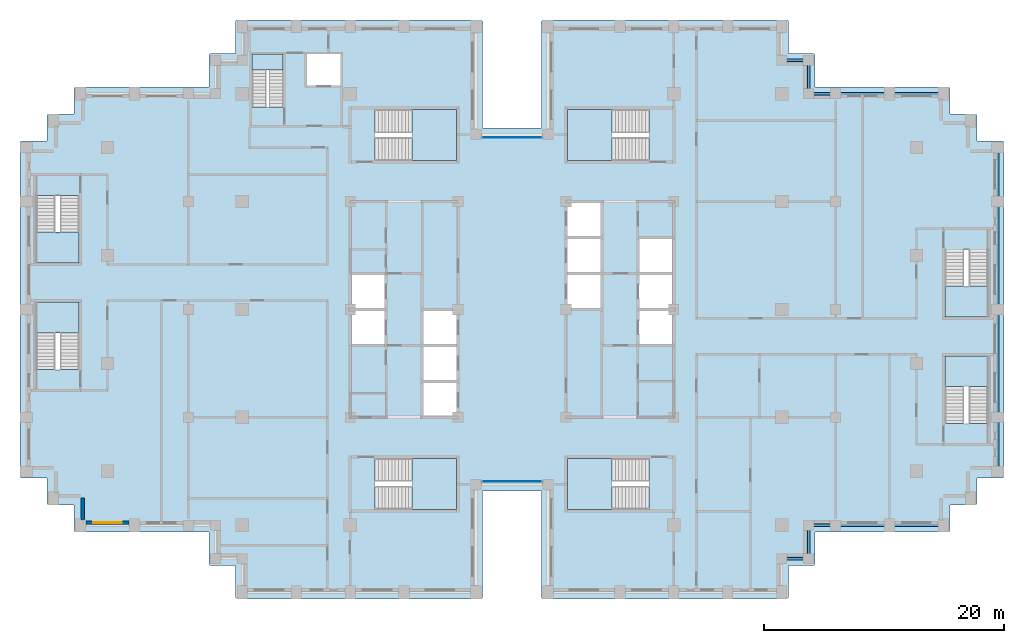
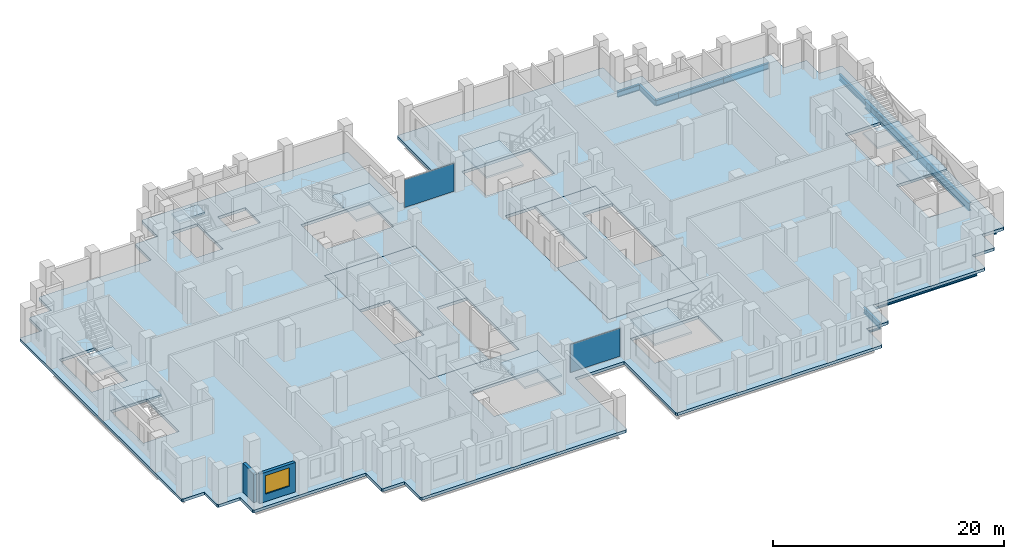
# One storey, part 5 of 15: 14 beams, 12 slabs, 2 plates, 2 walls, 1 window, 1 opening, 11 elements without a shape of their own.
"""IFC4 building model written with IfcOpenShell, lengths in metres."""

from ifc_helpers import new_model, si_unit, direction, frame, frame_2d, origin, origin_2d, place, context, subcontext, project, spatial, polyline, rectangle, i_section, outline, extrude, material, layer, layer_set, material_profile, profile_set, type_object, element, fill, aggregate, save


model = new_model("IFC4")

# Units and contexts
model_context = context("Model", 3, precision=1e-05, world=origin(), true_north=direction((0.0, 1.0)))
body_context = subcontext(model_context, "Body", "Model", "MODEL_VIEW")
ifc_project = project(units=[si_unit("LENGTHUNIT", "METRE"), si_unit("AREAUNIT", "SQUARE_METRE"), si_unit("VOLUMEUNIT", "CUBIC_METRE"), si_unit("PLANEANGLEUNIT", "RADIAN"), si_unit("MASSUNIT", "GRAM", prefix="KILO")], contexts=[model_context])

# Site, building, storey
site_placement = place(None, origin())
site = spatial("IfcSite", under=ifc_project, at=site_placement, CompositionType="ELEMENT")
building_placement = place(site_placement, origin())
building = spatial("IfcBuilding", under=site, at=building_placement, Name="Corbelhall Arena Tower", CompositionType="ELEMENT")
storey_placement = place(building_placement, frame((0.0, 0.0, 142.0)))
storey = spatial("IfcBuildingStorey", under=building, at=storey_placement, Name="L27", CompositionType="ELEMENT", Elevation=142.0)

# Beams
ifc_material_1 = material(Name="Steel ASTM A992 Gr50", Category="steel")
ifc_material_profile_1 = material_profile(ifc_material_1, i_section(OverallWidth=0.22900390625, OverallDepth=0.612060546875, WebThickness=0.011962890625, FlangeThickness=0.01953125, at=origin_2d()))
ifc_profile_set_1 = profile_set([ifc_material_profile_1], Name="Steel ASTM A992 Gr50")
beam_type_1 = type_object("IfcBeamType", Name="ST-SPANDREL-W24x84", PredefinedType="SPANDREL", material=ifc_profile_set_1)
for number, where, z_axis, x_axis, name in (
    (1, (40.5, 13.5, -0.60595703125), (0.0, -1.0, 0.0), (1.0, 0.0, 0.0), "Beam SP 10"),
    (2, (40.5, -9.0, -0.60595703125), (0.0, -1.0, 0.0), (1.0, 0.0, 0.0), "Beam SP 11"),
    (3, (31.5, 18.0, -0.60595703125), (1.0, 0.0, 0.0), (0.0, 1.0, 0.0), "Beam SP 12"),
    (4, (31.5, -18.0, -0.60595703125), (-1.0, 0.0, 0.0), (0.0, -1.0, 0.0), "Beam SP 13"),
    (5, (36.0, -18.0, -0.60595703125), (-1.0, 0.0, 0.0), (0.0, -1.0, 0.0), "Beam SP 14"),
    (6, (27.0, 18.0, -0.60595703125), (1.0, 0.0, 0.0), (0.0, 1.0, 0.0), "Beam SP 15"),
):
    element("IfcBeam", number, at=place(storey_placement, frame(where, z_axis=z_axis, x_axis=x_axis)), inside=storey, type_object=beam_type_1, Name=name, PredefinedType="SPANDREL", context=body_context, shape_type="SweptSolid", body=[
        extrude(i_section(OverallWidth=0.22900390625, OverallDepth=0.612060546875, WebThickness=0.011962890625, FlangeThickness=0.01953125, at=origin_2d()), origin(), (0.0, 0.0, 1.0), 4.5),
    ])
for number, where, z_axis, x_axis, name in (
    (7, (27.0, -18.0, -0.60595703125), (-1.0, 0.0, 0.0), (0.0, -1.0, 0.0), "Beam SP 16"),
    (8, (22.5, 20.800048828125, -0.60595703125), (1.0, 0.0, 0.0), (0.0, 1.0, 0.0), "Beam SP 43"),
):
    element("IfcBeam", number, at=place(storey_placement, frame(where, z_axis=z_axis, x_axis=x_axis)), inside=storey, type_object=beam_type_1, Name=name, PredefinedType="SPANDREL", context=body_context, shape_type="SweptSolid", body=[
        extrude(i_section(OverallWidth=0.22900390625, OverallDepth=0.612060546875, WebThickness=0.011962890625, FlangeThickness=0.01953125, at=origin_2d()), origin(), (0.0, 0.0, 1.0), 2.25),
    ])
beam_1_placement = place(storey_placement, frame((24.75, 20.800048828125, -0.60595703125), z_axis=(0.0, -1.0, 0.0), x_axis=(1.0, 0.0, 0.0)))
element("IfcBeam", 9, at=beam_1_placement, inside=storey, type_object=beam_type_1, Name="Beam SP 44", PredefinedType="SPANDREL", context=body_context, shape_type="SweptSolid", body=[
    extrude(i_section(OverallWidth=0.22900390625, OverallDepth=0.612060546875, WebThickness=0.011962890625, FlangeThickness=0.01953125, at=origin_2d()), origin(), (0.0, 0.0, 1.0), 2.800048828125),
])
for number, where, z_axis, x_axis, name in (
    (10, (24.75, 18.0, -0.60595703125), (1.0, 0.0, 0.0), (0.0, 1.0, 0.0), "Beam SP 45"),
    (11, (24.75, -20.800048828125, -0.60595703125), (-1.0, 0.0, 0.0), (0.0, -1.0, 0.0), "Beam SP 50"),
):
    element("IfcBeam", number, at=place(storey_placement, frame(where, z_axis=z_axis, x_axis=x_axis)), inside=storey, type_object=beam_type_1, Name=name, PredefinedType="SPANDREL", context=body_context, shape_type="SweptSolid", body=[
        extrude(i_section(OverallWidth=0.22900390625, OverallDepth=0.612060546875, WebThickness=0.011962890625, FlangeThickness=0.01953125, at=origin_2d()), origin(), (0.0, 0.0, 1.0), 2.25),
    ])
beam_2_placement = place(storey_placement, frame((24.75, -18.0, -0.60595703125), z_axis=(0.0, -1.0, 0.0), x_axis=(1.0, 0.0, 0.0)))
element("IfcBeam", 12, at=beam_2_placement, inside=storey, type_object=beam_type_1, Name="Beam SP 51", PredefinedType="SPANDREL", context=body_context, shape_type="SweptSolid", body=[
    extrude(i_section(OverallWidth=0.22900390625, OverallDepth=0.612060546875, WebThickness=0.011962890625, FlangeThickness=0.01953125, at=origin_2d()), origin(), (0.0, 0.0, 1.0), 2.800048828125),
])
ifc_material_profile_2 = material_profile(ifc_material_1, i_section(OverallWidth=0.2919921875, OverallDepth=0.845703125, WebThickness=0.015380859375, FlangeThickness=0.0244140625, at=origin_2d()))
ifc_profile_set_2 = profile_set([ifc_material_profile_2], Name="Steel ASTM A992 Gr50")
beam_type_2 = type_object("IfcBeamType", Name="ST-SPANDREL-W33x141", PredefinedType="SPANDREL", material=ifc_profile_set_2)
for number, where, z_axis, x_axis, name in (
    (13, (40.5, 0.0, -0.722900390625), (0.0, -1.0, 0.0), (1.0, 0.0, 0.0), "Beam SP 8"),
    (14, (40.5, 9.0, -0.722900390625), (0.0, -1.0, 0.0), (1.0, 0.0, 0.0), "Beam SP 9"),
):
    element("IfcBeam", number, at=place(storey_placement, frame(where, z_axis=z_axis, x_axis=x_axis)), inside=storey, type_object=beam_type_2, Name=name, PredefinedType="SPANDREL", context=body_context, shape_type="SweptSolid", body=[
        extrude(i_section(OverallWidth=0.2919921875, OverallDepth=0.845703125, WebThickness=0.015380859375, FlangeThickness=0.0244140625, at=origin_2d()), origin(), (0.0, 0.0, 1.0), 9.0),
    ])

# Curtain wall, plate
ifc_material_2 = material(Name="Aluminium black anodised", Category="aluminium")
ifc_layer_1 = layer(ifc_material_2, 0.199951171875)
ifc_layer_set_1 = layer_set([ifc_layer_1], Name="EV-CW1 Slot back wall")
curtain_wall_type = type_object("IfcCurtainWallType", Name="EV-CW1 Slot back wall", PredefinedType="NOTDEFINED", material=ifc_layer_set_1)
curtain_wall_1_placement = place(storey_placement, origin())
curtain_wall_1 = element("IfcCurtainWall", 15, at=curtain_wall_1_placement, inside=storey, type_object=curtain_wall_type, Name="Curtain wall CW1", PredefinedType="NOTDEFINED")
ifc_material_3 = material(Name="Glass dark tinted laminated", Category="glass")
ifc_layer_2 = layer(ifc_material_3, 0.028076171875)
ifc_layer_set_2 = layer_set([ifc_layer_2], Name="EV-CW1-PANEL")
plate_type = type_object("IfcPlateType", Name="EV-CW1-PANEL", PredefinedType="CURTAIN_PANEL", material=ifc_layer_set_2)
plate_1_placement = place(storey_placement, frame((0.0, -14.35009765625, 0.0751953125), z_axis=(0.0, 0.0, 1.0), x_axis=(1.0, 0.0, 0.0)))
plate_1 = element("IfcPlate", 16, at=plate_1_placement, type_object=plate_type, Name="CW1 panel 1.1", PredefinedType="CURTAIN_PANEL", context=body_context, shape_type="SweptSolid", body=[
    extrude(rectangle(XDim=4.949951171875, YDim=0.028076171875, at=origin_2d()), origin(), (0.0, 0.0, 1.0), 2.949951171875),
])
aggregate(curtain_wall_1, [plate_1])

curtain_wall_2_placement = place(storey_placement, origin())
curtain_wall_2 = element("IfcCurtainWall", 17, at=curtain_wall_2_placement, inside=storey, type_object=curtain_wall_type, Name="Curtain wall CW1", PredefinedType="NOTDEFINED")
plate_2_placement = place(storey_placement, frame((0.0, 14.35009765625, 0.0751953125), z_axis=(0.0, 0.0, 1.0), x_axis=(-1.0, 0.0, 0.0)))
plate_2 = element("IfcPlate", 18, at=plate_2_placement, type_object=plate_type, Name="CW1 panel 1.1", PredefinedType="CURTAIN_PANEL", context=body_context, shape_type="SweptSolid", body=[
    extrude(rectangle(XDim=4.949951171875, YDim=0.028076171875, at=origin_2d()), origin(), (0.0, 0.0, 1.0), 2.949951171875),
])
aggregate(curtain_wall_2, [plate_2])

# Slabs
ifc_material_4 = material(Name="Concrete C40/50", Category="concrete")
ifc_layer_3 = layer(ifc_material_4, 0.300048828125)
ifc_layer_set_3 = layer_set([ifc_layer_3], Name="IN-SL-CORE")
slab_type_1 = type_object("IfcSlabType", Name="IN-SL-CORE", PredefinedType="FLOOR", material=ifc_layer_set_3)
slab_1_placement = place(storey_placement, frame((0.0, 0.0, -0.300048828125)))
element("IfcSlab", 19, at=slab_1_placement, inside=storey, type_object=slab_type_1, Name="Core floor W", PredefinedType="FLOOR", context=body_context, shape_type="SweptSolid", body=[
    extrude(outline(polyline([(-7.5, 0.0), (-4.5, 0.0), (-4.5, 9.0), (-13.5, 9.0), (-13.5, 3.0), (-10.5, 3.0), (-10.5, 0.0), (-10.5, -3.0), (-13.5, -3.0), (-13.5, -9.0), (-7.5, -9.0), (-7.5, -6.0), (-7.5, -3.0), (-7.5, 0.0)])), origin(), (0.0, 0.0, 1.0), 0.300048828125),
])
slab_2_placement = place(storey_placement, frame((0.0, 0.0, -0.300048828125)))
element("IfcSlab", 20, at=slab_2_placement, inside=storey, type_object=slab_type_1, Name="Core floor E", PredefinedType="FLOOR", context=body_context, shape_type="SweptSolid", body=[
    extrude(outline(polyline([(7.5, 0.0), (4.5, 0.0), (4.5, -9.0), (13.5, -9.0), (13.5, -3.0), (10.5, -3.0), (10.5, 0.0), (10.5, 3.0), (10.5, 6.0), (13.5, 6.0), (13.5, 9.0), (7.5, 9.0), (7.5, 6.0), (7.5, 3.0), (7.5, 0.0)])), origin(), (0.0, 0.0, 1.0), 0.300048828125),
])

# Stair, slab
stair_type = type_object("IfcStairType", Name="IN-ST-TOWER", PredefinedType="HALF_TURN_STAIR", material=ifc_material_4)
stair_1_placement = place(storey_placement, origin())
stair_1 = element("IfcStair", 21, at=stair_1_placement, inside=storey, type_object=stair_type, Name="L27 Exit stair ST1", PredefinedType="HALF_TURN_STAIR")
ifc_layer_4 = layer(ifc_material_4, 0.199951171875)
ifc_layer_set_4 = layer_set([ifc_layer_4], Name="IN-SL-LANDING")
slab_type_2 = type_object("IfcSlabType", Name="IN-SL-LANDING", PredefinedType="LANDING", material=ifc_layer_set_4)
slab_3_placement = place(storey_placement, frame((0.0, 0.0, 1.800048828125)))
slab_3 = element("IfcSlab", 22, at=slab_3_placement, type_object=slab_type_2, Name="ST1 landing 1", PredefinedType="LANDING", context=body_context, shape_type="SweptSolid", body=[
    extrude(outline(polyline([(-8.344970703125, 12.425048828125), (-4.625, 12.425048828125), (-4.625, 16.675048828125), (-8.344970703125, 16.675048828125), (-8.344970703125, 12.425048828125)])), origin(), (0.0, 0.0, 1.0), 0.199951171875),
])
aggregate(stair_1, [slab_3])

stair_2_placement = place(storey_placement, origin())
stair_2 = element("IfcStair", 23, at=stair_2_placement, inside=storey, type_object=stair_type, Name="L27 Exit stair ST2", PredefinedType="HALF_TURN_STAIR")
slab_4_placement = place(storey_placement, frame((0.0, 0.0, 1.800048828125)))
slab_4 = element("IfcSlab", 24, at=slab_4_placement, type_object=slab_type_2, Name="ST2 landing 1", PredefinedType="LANDING", context=body_context, shape_type="SweptSolid", body=[
    extrude(outline(polyline([(-8.344970703125, -16.675048828125), (-4.625, -16.675048828125), (-4.625, -12.425048828125), (-8.344970703125, -12.425048828125), (-8.344970703125, -16.675048828125)])), origin(), (0.0, 0.0, 1.0), 0.199951171875),
])
aggregate(stair_2, [slab_4])

stair_3_placement = place(storey_placement, origin())
stair_3 = element("IfcStair", 25, at=stair_3_placement, inside=storey, type_object=stair_type, Name="L27 Exit stair ST3", PredefinedType="HALF_TURN_STAIR")
slab_5_placement = place(storey_placement, frame((0.0, 0.0, 1.800048828125)))
slab_5 = element("IfcSlab", 26, at=slab_5_placement, type_object=slab_type_2, Name="ST3 landing 1", PredefinedType="LANDING", context=body_context, shape_type="SweptSolid", body=[
    extrude(outline(polyline([(8.344970703125, 16.675048828125), (4.625, 16.675048828125), (4.625, 12.425048828125), (8.344970703125, 12.425048828125), (8.344970703125, 16.675048828125)])), origin(), (0.0, 0.0, 1.0), 0.199951171875),
])
aggregate(stair_3, [slab_5])

stair_4_placement = place(storey_placement, origin())
stair_4 = element("IfcStair", 27, at=stair_4_placement, inside=storey, type_object=stair_type, Name="L27 Exit stair ST4", PredefinedType="HALF_TURN_STAIR")
slab_6_placement = place(storey_placement, frame((0.0, 0.0, 1.800048828125)))
slab_6 = element("IfcSlab", 28, at=slab_6_placement, type_object=slab_type_2, Name="ST4 landing 1", PredefinedType="LANDING", context=body_context, shape_type="SweptSolid", body=[
    extrude(outline(polyline([(8.344970703125, -12.425048828125), (4.625, -12.425048828125), (4.625, -16.675048828125), (8.344970703125, -16.675048828125), (8.344970703125, -12.425048828125)])), origin(), (0.0, 0.0, 1.0), 0.199951171875),
])
aggregate(stair_4, [slab_6])

stair_5_placement = place(storey_placement, origin())
stair_5 = element("IfcStair", 29, at=stair_5_placement, inside=storey, type_object=stair_type, Name="L27 Exit stair SC1", PredefinedType="HALF_TURN_STAIR")
slab_7_placement = place(storey_placement, frame((0.0, 0.0, 1.800048828125)))
slab_7 = element("IfcSlab", 30, at=slab_7_placement, type_object=slab_type_2, Name="SC1 landing 1", PredefinedType="LANDING", context=body_context, shape_type="SweptSolid", body=[
    extrude(outline(polyline([(-39.699951171875, 6.445068359375), (-39.699951171875, 3.875), (-36.125, 3.875), (-36.125, 6.445068359375), (-39.699951171875, 6.445068359375)])), origin(), (0.0, 0.0, 1.0), 0.199951171875),
])
aggregate(stair_5, [slab_7])

stair_6_placement = place(storey_placement, origin())
stair_6 = element("IfcStair", 31, at=stair_6_placement, inside=storey, type_object=stair_type, Name="L27 Exit stair SC2", PredefinedType="HALF_TURN_STAIR")
slab_8_placement = place(storey_placement, frame((0.0, 0.0, 1.800048828125)))
slab_8 = element("IfcSlab", 32, at=slab_8_placement, type_object=slab_type_2, Name="SC2 landing 1", PredefinedType="LANDING", context=body_context, shape_type="SweptSolid", body=[
    extrude(outline(polyline([(-36.125, -1.945068359375), (-36.125, 0.625), (-39.699951171875, 0.625), (-39.699951171875, -1.945068359375), (-36.125, -1.945068359375)])), origin(), (0.0, 0.0, 1.0), 0.199951171875),
])
aggregate(stair_6, [slab_8])

stair_7_placement = place(storey_placement, origin())
stair_7 = element("IfcStair", 33, at=stair_7_placement, inside=storey, type_object=stair_type, Name="L27 Exit stair SD1", PredefinedType="HALF_TURN_STAIR")
slab_9_placement = place(storey_placement, frame((0.0, 0.0, 1.800048828125)))
slab_9 = element("IfcSlab", 34, at=slab_9_placement, type_object=slab_type_2, Name="SD1 landing 1", PredefinedType="LANDING", context=body_context, shape_type="SweptSolid", body=[
    extrude(outline(polyline([(39.699951171875, -6.445068359375), (39.699951171875, -3.875), (36.125, -3.875), (36.125, -6.445068359375), (39.699951171875, -6.445068359375)])), origin(), (0.0, 0.0, 1.0), 0.199951171875),
])
aggregate(stair_7, [slab_9])

stair_8_placement = place(storey_placement, origin())
stair_8 = element("IfcStair", 35, at=stair_8_placement, inside=storey, type_object=stair_type, Name="L27 Exit stair SD2", PredefinedType="HALF_TURN_STAIR")
slab_10_placement = place(storey_placement, frame((0.0, 0.0, 1.800048828125)))
slab_10 = element("IfcSlab", 36, at=slab_10_placement, type_object=slab_type_2, Name="SD2 landing 1", PredefinedType="LANDING", context=body_context, shape_type="SweptSolid", body=[
    extrude(outline(polyline([(36.125, 1.945068359375), (36.125, -0.625), (39.699951171875, -0.625), (39.699951171875, 1.945068359375), (36.125, 1.945068359375)])), origin(), (0.0, 0.0, 1.0), 0.199951171875),
])
aggregate(stair_8, [slab_10])

stair_9_placement = place(storey_placement, origin())
stair_9 = element("IfcStair", 37, at=stair_9_placement, inside=storey, type_object=stair_type, Name="L27 Exit stair ST5", PredefinedType="HALF_TURN_STAIR")
slab_11_placement = place(storey_placement, frame((0.0, 0.0, 1.800048828125)))
slab_11 = element("IfcSlab", 38, at=slab_11_placement, type_object=slab_type_2, Name="ST5 landing 1", PredefinedType="LANDING", context=body_context, shape_type="SweptSolid", body=[
    extrude(outline(polyline([(-19.094970703125, 19.97998046875), (-19.094970703125, 21.300048828125), (-21.695068359375, 21.300048828125), (-21.695068359375, 19.97998046875), (-19.094970703125, 19.97998046875)])), origin(), (0.0, 0.0, 1.0), 0.199951171875),
])
aggregate(stair_9, [slab_11])

# Slab
ifc_layer_5 = layer(ifc_material_4, 0.300048828125)
ifc_layer_set_5 = layer_set([ifc_layer_5], Name="ST-SLAB-FLOOR-300")
slab_type_3 = type_object("IfcSlabType", Name="ST-SLAB-FLOOR-300", PredefinedType="FLOOR", material=ifc_layer_set_5)
slab_12_placement = place(storey_placement, frame((0.0, 0.0, -0.300048828125)))
element("IfcSlab", 39, at=slab_12_placement, inside=storey, type_object=slab_type_3, Name="Floor slab L27 1", PredefinedType="FLOOR", context=body_context, shape_type="SweptSolid", body=[
    extrude(outline(polyline([(25.300048828125, 18.550048828125), (25.300048828125, 21.25), (25.199951171875, 21.35009765625), (23.050048828125, 21.35009765625), (23.050048828125, 24.050048828125), (22.949951171875, 24.14990234375), (2.550048828125, 24.14990234375), (2.449951171875, 24.050048828125), (2.449951171875, 15.14990234375), (-2.449951171875, 15.14990234375), (-2.449951171875, 24.050048828125), (-2.550048828125, 24.14990234375), (-22.949951171875, 24.14990234375), (-23.050048828125, 24.050048828125), (-23.050048828125, 21.35009765625), (-25.199951171875, 21.35009765625), (-25.300048828125, 21.25), (-25.300048828125, 18.550048828125), (-36.449951171875, 18.550048828125), (-36.550048828125, 18.449951171875), (-36.550048828125, 16.300048828125), (-38.699951171875, 16.300048828125), (-38.800048828125, 16.199951171875), (-38.800048828125, 14.050048828125), (-40.949951171875, 14.050048828125), (-41.050048828125, 13.949951171875), (-41.050048828125, -13.949951171875), (-40.949951171875, -14.050048828125), (-38.800048828125, -14.050048828125), (-38.800048828125, -16.199951171875), (-38.699951171875, -16.300048828125), (-36.550048828125, -16.300048828125), (-36.550048828125, -18.449951171875), (-36.449951171875, -18.550048828125), (-25.300048828125, -18.550048828125), (-25.300048828125, -21.25), (-25.199951171875, -21.35009765625), (-23.050048828125, -21.35009765625), (-23.050048828125, -24.050048828125), (-22.949951171875, -24.14990234375), (-2.550048828125, -24.14990234375), (-2.449951171875, -24.050048828125), (-2.449951171875, -15.14990234375), (2.449951171875, -15.14990234375), (2.449951171875, -24.050048828125), (2.550048828125, -24.14990234375), (22.949951171875, -24.14990234375), (23.050048828125, -24.050048828125), (23.050048828125, -21.35009765625), (25.199951171875, -21.35009765625), (25.300048828125, -21.25), (25.300048828125, -18.550048828125), (36.449951171875, -18.550048828125), (36.550048828125, -18.449951171875), (36.550048828125, -16.300048828125), (38.699951171875, -16.300048828125), (38.800048828125, -16.199951171875), (38.800048828125, -14.050048828125), (40.949951171875, -14.050048828125), (41.050048828125, -13.949951171875), (41.050048828125, 13.949951171875), (40.949951171875, 14.050048828125), (38.800048828125, 14.050048828125), (38.800048828125, 16.199951171875), (38.699951171875, 16.300048828125), (36.550048828125, 16.300048828125), (36.550048828125, 18.449951171875), (36.449951171875, 18.550048828125), (25.300048828125, 18.550048828125)]), holes=[polyline([(-13.5, 9.0), (-13.5, -9.0), (-4.5, -9.0), (-4.5, 9.0), (-13.5, 9.0)]), polyline([(4.5, 9.0), (4.5, -9.0), (13.5, -9.0), (13.5, 9.0), (4.5, 9.0)]), polyline([(-4.625, 16.675048828125), (-11.422119140625, 16.675048828125), (-11.422119140625, 12.425048828125), (-4.625, 12.425048828125), (-4.625, 16.675048828125)]), polyline([(-4.625, -16.675048828125), (-4.625, -12.425048828125), (-11.422119140625, -12.425048828125), (-11.422119140625, -16.675048828125), (-4.625, -16.675048828125)]), polyline([(11.422119140625, 16.675048828125), (4.625, 16.675048828125), (4.625, 12.425048828125), (11.422119140625, 12.425048828125), (11.422119140625, 16.675048828125)]), polyline([(11.422119140625, -16.675048828125), (11.422119140625, -12.425048828125), (4.625, -12.425048828125), (4.625, -16.675048828125), (11.422119140625, -16.675048828125)]), polyline([(-36.125, 3.875), (-36.125, 9.52197265625), (-39.699951171875, 9.52197265625), (-39.699951171875, 3.875), (-36.125, 3.875)]), polyline([(-36.125, 0.625), (-39.699951171875, 0.625), (-39.699951171875, -5.02197265625), (-36.125, -5.02197265625), (-36.125, 0.625)]), polyline([(39.699951171875, -9.52197265625), (39.699951171875, -3.875), (36.125, -3.875), (36.125, -9.52197265625), (39.699951171875, -9.52197265625)]), polyline([(39.699951171875, 5.02197265625), (36.125, 5.02197265625), (36.125, -0.625), (39.699951171875, -0.625), (39.699951171875, 5.02197265625)]), polyline([(-21.695068359375, 21.300048828125), (-21.695068359375, 16.903076171875), (-19.094970703125, 16.903076171875), (-19.094970703125, 21.300048828125), (-21.695068359375, 21.300048828125)]), polyline([(-14.300048828125, 21.300048828125), (-17.10009765625, 21.300048828125), (-17.10009765625, 18.699951171875), (-14.300048828125, 18.699951171875), (-14.300048828125, 21.300048828125)])]), origin(), (0.0, 0.0, 1.0), 0.300048828125),
])

# Wall
ifc_material_5 = material(Name="Precast concrete C40/50 with granite facing", Category="masonry")
ifc_layer_6 = layer(ifc_material_5, 0.300048828125)
ifc_layer_set_6 = layer_set([ifc_layer_6], Name="EV-IW1 Infill panel 300")
wall_type = type_object("IfcWallType", Name="EV-IW1 Infill panel 300", PredefinedType="SOLIDWALL", material=ifc_layer_set_6)
wall_1_placement = place(storey_placement, frame((-35.800048828125, -17.550048828125, 0.0), z_axis=(0.0, 0.0, 1.0), x_axis=(0.0, 1.0, 0.0)))
element("IfcWall", 40, at=wall_1_placement, inside=storey, type_object=wall_type, Name="Infill panel IW1", PredefinedType="SOLIDWALL", context=body_context, shape_type="SweptSolid", body=[
    extrude(rectangle(XDim=1.800048828125, YDim=0.300048828125, at=frame_2d((0.89990234375, 0.0))), origin(), (0.0, 0.0, 1.0), 3.10009765625),
])

# Wall, opening, window
wall_2_placement = place(storey_placement, frame((-35.550048828125, -17.800048828125, 0.0), z_axis=(0.0, 0.0, 1.0), x_axis=(1.0, 0.0, 0.0)))
wall_2 = element("IfcWall", 41, at=wall_2_placement, inside=storey, type_object=wall_type, Name="Infill panel IW1", PredefinedType="SOLIDWALL", context=body_context, shape_type="SweptSolid", body=[
    extrude(rectangle(XDim=3.60009765625, YDim=0.300048828125, at=frame_2d((1.800048828125, 0.0))), origin(), (0.0, 0.0, 1.0), 3.10009765625),
])
opening_placement = place(wall_2_placement, frame((0.60009765625, 0.0, 0.800048828125)))
opening = element("IfcOpeningElement", 42, at=opening_placement, cuts=wall_2, Name="Opening WN1", PredefinedType="OPENING", context=body_context, shape_type="SweptSolid", body=[
    extrude(rectangle(XDim=2.39990234375, YDim=1.949951171875, at=frame_2d((1.199951171875, 0.97509765625))), frame((0.0, 0.14990234375, 0.0), z_axis=(0.0, -1.0, 0.0), x_axis=(1.0, 0.0, 0.0)), (0.0, 0.0, 1.0), 0.300048828125),
])
window_type = type_object("IfcWindowType", Name="EV-WN1 Office window", PartitioningType="SINGLE_PANEL", PredefinedType="WINDOW", material=ifc_material_2)
window_placement = place(opening_placement, origin())
window = element("IfcWindow", 43, at=window_placement, inside=storey, type_object=window_type, Name="Window WN1", OverallHeight=1.949951171875, OverallWidth=2.39990234375, PartitioningType="SINGLE_PANEL", PredefinedType="WINDOW", context=body_context, shape_type="SweptSolid", body=[
    extrude(rectangle(XDim=2.39990234375, YDim=1.949951171875, at=frame_2d((1.199951171875, 0.97509765625))), frame((0.0, 0.030029296875, 0.0), z_axis=(0.0, -1.0, 0.0), x_axis=(1.0, 0.0, 0.0)), (0.0, 0.0, 1.0), 0.06005859375),
])
fill(opening, window)

save(model, "model.ifc")
